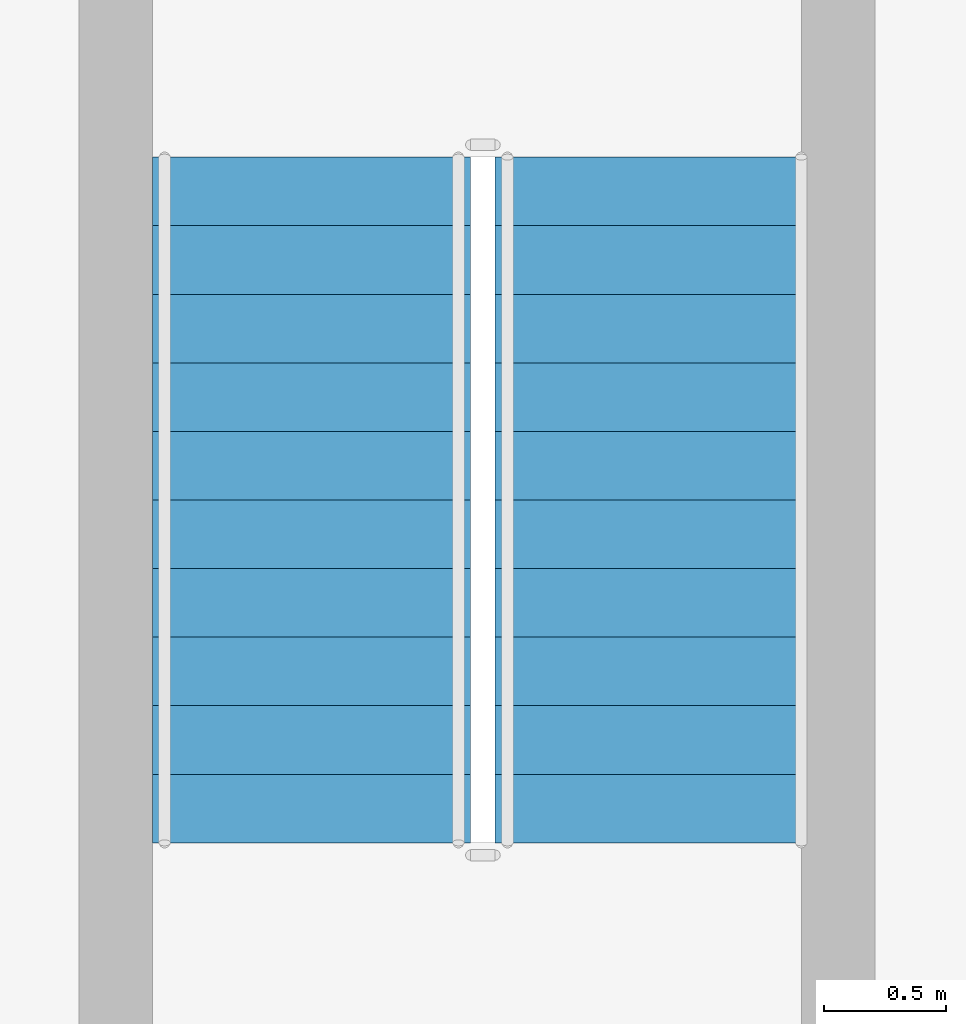
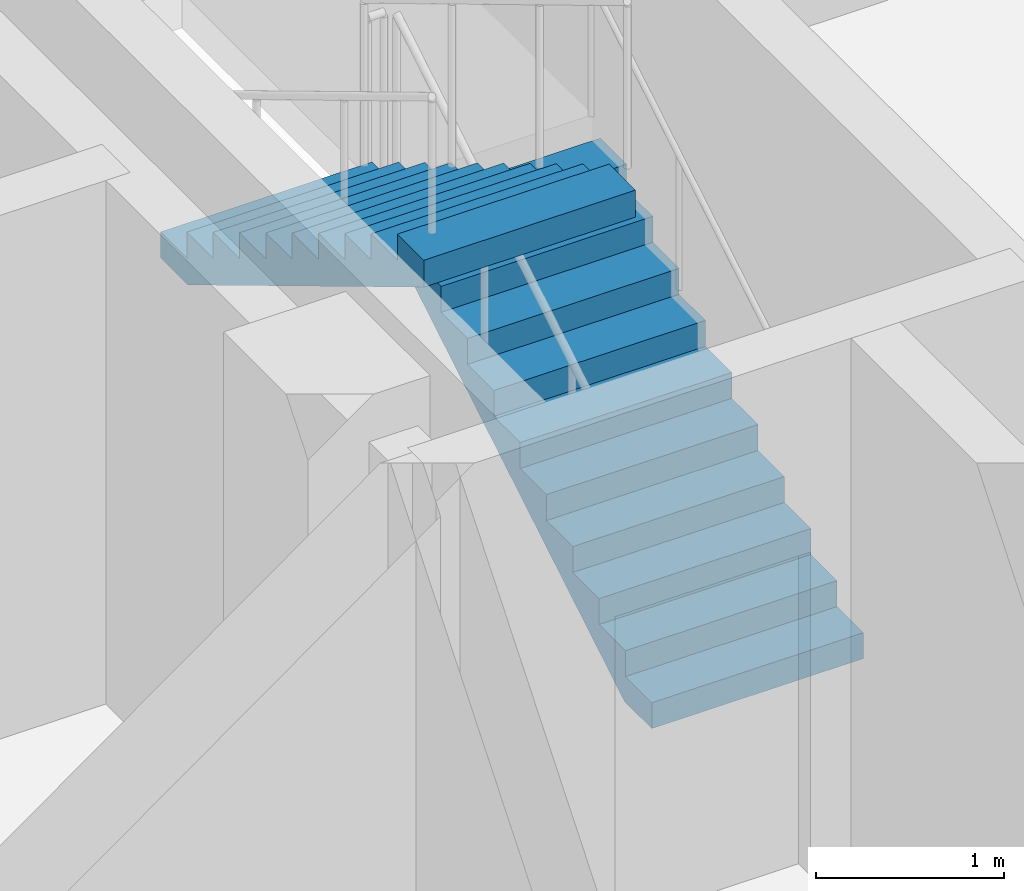
# One storey, part 16 of 23: 2 stair flights, 1 element without a shape of its own.
"""IFC4 building model written with IfcOpenShell, lengths in metres."""

from ifc_helpers import new_model, si_unit, direction, frame, origin, place, context, subcontext, project, spatial, triangles, source, transform, mapped, material, type_object, element, aggregate, save


model = new_model("IFC4")

# Units and contexts
model_context = context("Model", 3, precision=1e-05, world=origin(), true_north=direction((0.0, 1.0)))
body_context = subcontext(model_context, "Body", "Model", "MODEL_VIEW")
ifc_project = project(units=[si_unit("LENGTHUNIT", "METRE"), si_unit("AREAUNIT", "SQUARE_METRE"), si_unit("VOLUMEUNIT", "CUBIC_METRE"), si_unit("PLANEANGLEUNIT", "RADIAN"), si_unit("MASSUNIT", "GRAM", prefix="KILO")], contexts=[model_context])

# Site, building, storey
site_placement = place(None, origin())
site = spatial("IfcSite", under=ifc_project, at=site_placement, CompositionType="ELEMENT")
building_placement = place(site_placement, origin())
building = spatial("IfcBuilding", under=site, at=building_placement, Name="Ogive Portal Towers", CompositionType="ELEMENT")
storey_placement = place(building_placement, frame((0.0, 0.0, 179.199951171875)))
storey = spatial("IfcBuildingStorey", under=building, at=storey_placement, Name="L44", CompositionType="ELEMENT", Elevation=179.199951171875)

# Stair, stair flights
ifc_material = material(Name="Concrete C40/50", Category="concrete")
stair_type = type_object("IfcStairType", Name="INT-STAIR", PredefinedType="HALF_TURN_STAIR", material=ifc_material)
stair_placement = place(storey_placement, origin())
stair = element("IfcStair", 1, at=stair_placement, inside=storey, type_object=stair_type, Name="L44 Exit Stair ST-A3", PredefinedType="HALF_TURN_STAIR")
stair_flight_type = type_object("IfcStairFlightType", Name="INT-FLIGHT", PredefinedType="STRAIGHT", material=ifc_material)
shared_shape = source(origin(), body_context, "Body", "Tessellation", [
    triangles([(0.0, -0.650146484375, 0.0), (0.0, -0.376220703125, 0.0), (0.0, -0.192626953125, 0.0), (0.0, -0.081298828125, 0.0), (0.0, -0.024169921875, 0.0), (0.0, -0.003173828125, 0.0), (0.0, 0.0, 0.0), (0.0, 0.0029296875, 0.0), (0.0, 0.02392578125, 0.0), (0.0, 0.0810546875, 0.0), (0.0, 0.1923828125, 0.0), (0.0, 0.3759765625, 0.0), (0.0, 0.64990234375, 0.0), (0.0, -0.650146484375, 0.168212890625), (0.0, -0.376220703125, 0.168212890625), (0.0, -0.192626953125, 0.168212890625), (0.0, -0.081298828125, 0.168212890625), (0.0, -0.024169921875, 0.168212890625), (0.0, -0.003173828125, 0.168212890625), (0.0, 0.0, 0.168212890625), (0.0, 0.0029296875, 0.168212890625), (0.0, 0.02392578125, 0.168212890625), (0.0, 0.0810546875, 0.168212890625), (0.0, 0.1923828125, 0.168212890625), (0.0, 0.3759765625, 0.168212890625), (0.0, 0.64990234375, 0.168212890625), (0.280029296875, -0.650146484375, 0.168212890625), (0.280029296875, -0.376220703125, 0.168212890625), (0.280029296875, -0.192626953125, 0.168212890625), (0.280029296875, -0.081298828125, 0.168212890625), (0.280029296875, -0.024169921875, 0.168212890625), (0.280029296875, -0.003173828125, 0.168212890625), (0.280029296875, 0.0, 0.168212890625), (0.280029296875, 0.0029296875, 0.168212890625), (0.280029296875, 0.02392578125, 0.168212890625), (0.280029296875, 0.0810546875, 0.168212890625), (0.280029296875, 0.1923828125, 0.168212890625), (0.280029296875, 0.3759765625, 0.168212890625), (0.280029296875, 0.64990234375, 0.168212890625), (0.280029296875, -0.650146484375, 0.33642578125), (0.280029296875, -0.376220703125, 0.33642578125), (0.280029296875, -0.192626953125, 0.33642578125), (0.280029296875, -0.081298828125, 0.33642578125), (0.280029296875, -0.024169921875, 0.33642578125), (0.280029296875, -0.003173828125, 0.33642578125), (0.280029296875, 0.0, 0.33642578125), (0.280029296875, 0.0029296875, 0.33642578125), (0.280029296875, 0.02392578125, 0.33642578125), (0.280029296875, 0.0810546875, 0.33642578125), (0.280029296875, 0.1923828125, 0.33642578125), (0.280029296875, 0.3759765625, 0.33642578125), (0.280029296875, 0.64990234375, 0.33642578125), (0.56005859375, -0.650146484375, 0.33642578125), (0.56005859375, -0.376220703125, 0.33642578125), (0.56005859375, -0.192626953125, 0.33642578125), (0.56005859375, -0.081298828125, 0.33642578125), (0.56005859375, -0.024169921875, 0.33642578125), (0.56005859375, -0.003173828125, 0.33642578125), (0.56005859375, 0.0, 0.33642578125), (0.56005859375, 0.0029296875, 0.33642578125), (0.56005859375, 0.02392578125, 0.33642578125), (0.56005859375, 0.0810546875, 0.33642578125), (0.56005859375, 0.1923828125, 0.33642578125), (0.56005859375, 0.3759765625, 0.33642578125), (0.56005859375, 0.64990234375, 0.33642578125), (0.56005859375, -0.650146484375, 0.504638671875), (0.56005859375, -0.376220703125, 0.504638671875), (0.56005859375, -0.192626953125, 0.504638671875), (0.56005859375, -0.081298828125, 0.504638671875), (0.56005859375, -0.024169921875, 0.504638671875), (0.56005859375, -0.003173828125, 0.504638671875), (0.56005859375, 0.0, 0.504638671875), (0.56005859375, 0.0029296875, 0.504638671875), (0.56005859375, 0.02392578125, 0.504638671875), (0.56005859375, 0.0810546875, 0.504638671875), (0.56005859375, 0.1923828125, 0.504638671875), (0.56005859375, 0.3759765625, 0.504638671875), (0.56005859375, 0.64990234375, 0.504638671875), (0.840087890625, -0.650146484375, 0.504638671875), (0.840087890625, -0.376220703125, 0.504638671875), (0.840087890625, -0.192626953125, 0.504638671875), (0.840087890625, -0.081298828125, 0.504638671875), (0.840087890625, -0.024169921875, 0.504638671875), (0.840087890625, -0.003173828125, 0.504638671875), (0.840087890625, 0.0, 0.504638671875), (0.840087890625, 0.0029296875, 0.504638671875), (0.840087890625, 0.02392578125, 0.504638671875), (0.840087890625, 0.0810546875, 0.504638671875), (0.840087890625, 0.1923828125, 0.504638671875), (0.840087890625, 0.3759765625, 0.504638671875), (0.840087890625, 0.64990234375, 0.504638671875), (0.840087890625, -0.650146484375, 0.672607421875), (0.840087890625, -0.376220703125, 0.672607421875), (0.840087890625, -0.192626953125, 0.672607421875), (0.840087890625, -0.081298828125, 0.672607421875), (0.840087890625, -0.024169921875, 0.672607421875), (0.840087890625, -0.003173828125, 0.672607421875), (0.840087890625, 0.0, 0.672607421875), (0.840087890625, 0.0029296875, 0.672607421875), (0.840087890625, 0.02392578125, 0.672607421875), (0.840087890625, 0.0810546875, 0.672607421875), (0.840087890625, 0.1923828125, 0.672607421875), (0.840087890625, 0.3759765625, 0.672607421875), (0.840087890625, 0.64990234375, 0.672607421875), (1.1201171875, -0.650146484375, 0.672607421875), (1.1201171875, -0.376220703125, 0.672607421875), (1.1201171875, -0.192626953125, 0.672607421875), (1.1201171875, -0.081298828125, 0.672607421875), (1.1201171875, -0.024169921875, 0.672607421875), (1.1201171875, -0.003173828125, 0.672607421875), (1.1201171875, 0.0, 0.672607421875), (1.1201171875, 0.0029296875, 0.672607421875), (1.1201171875, 0.02392578125, 0.672607421875), (1.1201171875, 0.0810546875, 0.672607421875), (1.1201171875, 0.1923828125, 0.672607421875), (1.1201171875, 0.3759765625, 0.672607421875), (1.1201171875, 0.64990234375, 0.672607421875), (1.1201171875, -0.650146484375, 0.8408203125), (1.1201171875, -0.376220703125, 0.8408203125), (1.1201171875, -0.192626953125, 0.8408203125), (1.1201171875, -0.081298828125, 0.8408203125), (1.1201171875, -0.024169921875, 0.8408203125), (1.1201171875, -0.003173828125, 0.8408203125), (1.1201171875, 0.0, 0.8408203125), (1.1201171875, 0.0029296875, 0.8408203125), (1.1201171875, 0.02392578125, 0.8408203125), (1.1201171875, 0.0810546875, 0.8408203125), (1.1201171875, 0.1923828125, 0.8408203125), (1.1201171875, 0.3759765625, 0.8408203125), (1.1201171875, 0.64990234375, 0.8408203125), (1.39990234375, -0.650146484375, 0.8408203125), (1.39990234375, -0.376220703125, 0.8408203125), (1.39990234375, -0.192626953125, 0.8408203125), (1.39990234375, -0.081298828125, 0.8408203125), (1.39990234375, -0.024169921875, 0.8408203125), (1.39990234375, -0.003173828125, 0.8408203125), (1.39990234375, 0.0, 0.8408203125), (1.39990234375, 0.0029296875, 0.8408203125), (1.39990234375, 0.02392578125, 0.8408203125), (1.39990234375, 0.0810546875, 0.8408203125), (1.39990234375, 0.1923828125, 0.8408203125), (1.39990234375, 0.3759765625, 0.8408203125), (1.39990234375, 0.64990234375, 0.8408203125), (1.39990234375, -0.650146484375, 1.009033203125), (1.39990234375, -0.376220703125, 1.009033203125), (1.39990234375, -0.192626953125, 1.009033203125), (1.39990234375, -0.081298828125, 1.009033203125), (1.39990234375, -0.024169921875, 1.009033203125), (1.39990234375, -0.003173828125, 1.009033203125), (1.39990234375, 0.0, 1.009033203125), (1.39990234375, 0.0029296875, 1.009033203125), (1.39990234375, 0.02392578125, 1.009033203125), (1.39990234375, 0.0810546875, 1.009033203125), (1.39990234375, 0.1923828125, 1.009033203125), (1.39990234375, 0.3759765625, 1.009033203125), (1.39990234375, 0.64990234375, 1.009033203125), (1.679931640625, -0.650146484375, 1.009033203125), (1.679931640625, -0.376220703125, 1.009033203125), (1.679931640625, -0.192626953125, 1.009033203125), (1.679931640625, -0.081298828125, 1.009033203125), (1.679931640625, -0.024169921875, 1.009033203125), (1.679931640625, -0.003173828125, 1.009033203125), (1.679931640625, 0.0, 1.009033203125), (1.679931640625, 0.0029296875, 1.009033203125), (1.679931640625, 0.02392578125, 1.009033203125), (1.679931640625, 0.0810546875, 1.009033203125), (1.679931640625, 0.1923828125, 1.009033203125), (1.679931640625, 0.3759765625, 1.009033203125), (1.679931640625, 0.64990234375, 1.009033203125), (1.679931640625, -0.650146484375, 1.17724609375), (1.679931640625, -0.376220703125, 1.17724609375), (1.679931640625, -0.192626953125, 1.17724609375), (1.679931640625, -0.081298828125, 1.17724609375), (1.679931640625, -0.024169921875, 1.17724609375), (1.679931640625, -0.003173828125, 1.17724609375), (1.679931640625, 0.0, 1.17724609375), (1.679931640625, 0.0029296875, 1.17724609375), (1.679931640625, 0.02392578125, 1.17724609375), (1.679931640625, 0.0810546875, 1.17724609375), (1.679931640625, 0.1923828125, 1.17724609375), (1.679931640625, 0.3759765625, 1.17724609375), (1.679931640625, 0.64990234375, 1.17724609375), (1.9599609375, -0.650146484375, 1.17724609375), (1.9599609375, -0.376220703125, 1.17724609375), (1.9599609375, -0.192626953125, 1.17724609375), (1.9599609375, -0.081298828125, 1.17724609375), (1.9599609375, -0.024169921875, 1.17724609375), (1.9599609375, -0.003173828125, 1.17724609375), (1.9599609375, 0.0, 1.17724609375), (1.9599609375, 0.0029296875, 1.17724609375), (1.9599609375, 0.02392578125, 1.17724609375), (1.9599609375, 0.0810546875, 1.17724609375), (1.9599609375, 0.1923828125, 1.17724609375), (1.9599609375, 0.3759765625, 1.17724609375), (1.9599609375, 0.64990234375, 1.17724609375), (1.9599609375, -0.650146484375, 1.345458984375), (1.9599609375, -0.376220703125, 1.345458984375), (1.9599609375, -0.192626953125, 1.345458984375), (1.9599609375, -0.081298828125, 1.345458984375), (1.9599609375, -0.024169921875, 1.345458984375), (1.9599609375, -0.003173828125, 1.345458984375), (1.9599609375, 0.0, 1.345458984375), (1.9599609375, 0.0029296875, 1.345458984375), (1.9599609375, 0.02392578125, 1.345458984375), (1.9599609375, 0.0810546875, 1.345458984375), (1.9599609375, 0.1923828125, 1.345458984375), (1.9599609375, 0.3759765625, 1.345458984375), (1.9599609375, 0.64990234375, 1.345458984375), (2.239990234375, -0.650146484375, 1.345458984375), (2.239990234375, -0.376220703125, 1.345458984375), (2.239990234375, -0.192626953125, 1.345458984375), (2.239990234375, -0.081298828125, 1.345458984375), (2.239990234375, -0.024169921875, 1.345458984375), (2.239990234375, -0.003173828125, 1.345458984375), (2.239990234375, 0.0, 1.345458984375), (2.239990234375, 0.0029296875, 1.345458984375), (2.239990234375, 0.02392578125, 1.345458984375), (2.239990234375, 0.0810546875, 1.345458984375), (2.239990234375, 0.1923828125, 1.345458984375), (2.239990234375, 0.3759765625, 1.345458984375), (2.239990234375, 0.64990234375, 1.345458984375), (2.239990234375, -0.650146484375, 1.513671875), (2.239990234375, -0.376220703125, 1.513671875), (2.239990234375, -0.192626953125, 1.513671875), (2.239990234375, -0.081298828125, 1.513671875), (2.239990234375, -0.024169921875, 1.513671875), (2.239990234375, -0.003173828125, 1.513671875), (2.239990234375, 0.0, 1.513671875), (2.239990234375, 0.0029296875, 1.513671875), (2.239990234375, 0.02392578125, 1.513671875), (2.239990234375, 0.0810546875, 1.513671875), (2.239990234375, 0.1923828125, 1.513671875), (2.239990234375, 0.3759765625, 1.513671875), (2.239990234375, 0.64990234375, 1.513671875), (2.52001953125, -0.650146484375, 1.513671875), (2.52001953125, -0.376220703125, 1.513671875), (2.52001953125, -0.192626953125, 1.513671875), (2.52001953125, -0.081298828125, 1.513671875), (2.52001953125, -0.024169921875, 1.513671875), (2.52001953125, -0.003173828125, 1.513671875), (2.52001953125, 0.0, 1.513671875), (2.52001953125, 0.0029296875, 1.513671875), (2.52001953125, 0.02392578125, 1.513671875), (2.52001953125, 0.0810546875, 1.513671875), (2.52001953125, 0.1923828125, 1.513671875), (2.52001953125, 0.3759765625, 1.513671875), (2.52001953125, 0.64990234375, 1.513671875), (2.52001953125, -0.650146484375, 1.681884765625), (2.52001953125, -0.376220703125, 1.681884765625), (2.52001953125, -0.192626953125, 1.681884765625), (2.52001953125, -0.081298828125, 1.681884765625), (2.52001953125, -0.024169921875, 1.681884765625), (2.52001953125, -0.003173828125, 1.681884765625), (2.52001953125, 0.0, 1.681884765625), (2.52001953125, 0.0029296875, 1.681884765625), (2.52001953125, 0.02392578125, 1.681884765625), (2.52001953125, 0.0810546875, 1.681884765625), (2.52001953125, 0.1923828125, 1.681884765625), (2.52001953125, 0.3759765625, 1.681884765625), (2.52001953125, 0.64990234375, 1.681884765625), (2.800048828125, -0.650146484375, 1.681884765625), (2.800048828125, -0.376220703125, 1.681884765625), (2.800048828125, -0.192626953125, 1.681884765625), (2.800048828125, -0.081298828125, 1.681884765625), (2.800048828125, -0.024169921875, 1.681884765625), (2.800048828125, -0.003173828125, 1.681884765625), (2.800048828125, 0.0, 1.681884765625), (2.800048828125, 0.0029296875, 1.681884765625), (2.800048828125, 0.02392578125, 1.681884765625), (2.800048828125, 0.0810546875, 1.681884765625), (2.800048828125, 0.1923828125, 1.681884765625), (2.800048828125, 0.3759765625, 1.681884765625), (2.800048828125, 0.64990234375, 1.681884765625), (2.800048828125, -0.650146484375, 1.5068359375), (2.800048828125, -0.376220703125, 1.5068359375), (2.800048828125, -0.192626953125, 1.5068359375), (2.800048828125, -0.081298828125, 1.5068359375), (2.800048828125, -0.024169921875, 1.5068359375), (2.800048828125, -0.003173828125, 1.5068359375), (2.800048828125, 0.0, 1.5068359375), (2.800048828125, 0.0029296875, 1.5068359375), (2.800048828125, 0.02392578125, 1.5068359375), (2.800048828125, 0.0810546875, 1.5068359375), (2.800048828125, 0.1923828125, 1.5068359375), (2.800048828125, 0.3759765625, 1.5068359375), (2.800048828125, 0.64990234375, 1.5068359375), (0.291015625, -0.650146484375, 0.0), (0.291015625, -0.376220703125, 0.0), (0.291015625, -0.192626953125, 0.0), (0.291015625, -0.081298828125, 0.0), (0.291015625, -0.024169921875, 0.0), (0.291015625, -0.003173828125, 0.0), (0.291015625, 0.0, 0.0), (0.291015625, 0.0029296875, 0.0), (0.291015625, 0.02392578125, 0.0), (0.291015625, 0.0810546875, 0.0), (0.291015625, 0.1923828125, 0.0), (0.291015625, 0.3759765625, 0.0), (0.291015625, 0.64990234375, 0.0)], [[1, 14, 15], [1, 15, 2], [2, 15, 16], [2, 16, 3], [3, 16, 17], [3, 17, 4], [4, 17, 18], [4, 18, 5], [5, 18, 19], [5, 19, 6], [6, 19, 20], [6, 20, 7], [7, 20, 21], [7, 21, 8], [8, 21, 22], [8, 22, 9], [9, 22, 23], [9, 23, 10], [10, 23, 24], [10, 24, 11], [11, 24, 25], [11, 25, 12], [12, 25, 26], [12, 26, 13], [14, 27, 28], [14, 28, 15], [15, 28, 29], [15, 29, 16], [16, 29, 30], [16, 30, 17], [17, 30, 31], [17, 31, 18], [18, 31, 32], [18, 32, 19], [19, 32, 33], [19, 33, 20], [20, 33, 34], [20, 34, 21], [21, 34, 35], [21, 35, 22], [22, 35, 36], [22, 36, 23], [23, 36, 37], [23, 37, 24], [24, 37, 38], [24, 38, 25], [25, 38, 39], [25, 39, 26], [27, 40, 41], [27, 41, 28], [28, 41, 42], [28, 42, 29], [29, 42, 43], [29, 43, 30], [30, 43, 44], [30, 44, 31], [31, 44, 45], [31, 45, 32], [32, 45, 46], [32, 46, 33], [33, 46, 47], [33, 47, 34], [34, 47, 48], [34, 48, 35], [35, 48, 49], [35, 49, 36], [36, 49, 50], [36, 50, 37], [37, 50, 51], [37, 51, 38], [38, 51, 52], [38, 52, 39], [40, 53, 54], [40, 54, 41], [41, 54, 55], [41, 55, 42], [42, 55, 56], [42, 56, 43], [43, 56, 57], [43, 57, 44], [44, 57, 58], [44, 58, 45], [45, 58, 59], [45, 59, 46], [46, 59, 60], [46, 60, 47], [47, 60, 61], [47, 61, 48], [48, 61, 62], [48, 62, 49], [49, 62, 63], [49, 63, 50], [50, 63, 64], [50, 64, 51], [51, 64, 65], [51, 65, 52], [53, 66, 67], [53, 67, 54], [54, 67, 68], [54, 68, 55], [55, 68, 69], [55, 69, 56], [56, 69, 70], [56, 70, 57], [57, 70, 71], [57, 71, 58], [58, 71, 72], [58, 72, 59], [59, 72, 73], [59, 73, 60], [60, 73, 74], [60, 74, 61], [61, 74, 75], [61, 75, 62], [62, 75, 76], [62, 76, 63], [63, 76, 77], [63, 77, 64], [64, 77, 78], [64, 78, 65], [66, 79, 80], [66, 80, 67], [67, 80, 81], [67, 81, 68], [68, 81, 82], [68, 82, 69], [69, 82, 83], [69, 83, 70], [70, 83, 84], [70, 84, 71], [71, 84, 85], [71, 85, 72], [72, 85, 86], [72, 86, 73], [73, 86, 87], [73, 87, 74], [74, 87, 88], [74, 88, 75], [75, 88, 89], [75, 89, 76], [76, 89, 90], [76, 90, 77], [77, 90, 91], [77, 91, 78], [79, 92, 93], [79, 93, 80], [80, 93, 94], [80, 94, 81], [81, 94, 95], [81, 95, 82], [82, 95, 96], [82, 96, 83], [83, 96, 97], [83, 97, 84], [84, 97, 98], [84, 98, 85], [85, 98, 99], [85, 99, 86], [86, 99, 100], [86, 100, 87], [87, 100, 101], [87, 101, 88], [88, 101, 102], [88, 102, 89], [89, 102, 103], [89, 103, 90], [90, 103, 104], [90, 104, 91], [92, 105, 106], [92, 106, 93], [93, 106, 107], [93, 107, 94], [94, 107, 108], [94, 108, 95], [95, 108, 109], [95, 109, 96], [96, 109, 110], [96, 110, 97], [97, 110, 111], [97, 111, 98], [98, 111, 112], [98, 112, 99], [99, 112, 113], [99, 113, 100], [100, 113, 114], [100, 114, 101], [101, 114, 115], [101, 115, 102], [102, 115, 116], [102, 116, 103], [103, 116, 117], [103, 117, 104], [105, 118, 119], [105, 119, 106], [106, 119, 120], [106, 120, 107], [107, 120, 121], [107, 121, 108], [108, 121, 122], [108, 122, 109], [109, 122, 123], [109, 123, 110], [110, 123, 124], [110, 124, 111], [111, 124, 125], [111, 125, 112], [112, 125, 126], [112, 126, 113], [113, 126, 127], [113, 127, 114], [114, 127, 128], [114, 128, 115], [115, 128, 129], [115, 129, 116], [116, 129, 130], [116, 130, 117], [118, 131, 132], [118, 132, 119], [119, 132, 133], [119, 133, 120], [120, 133, 134], [120, 134, 121], [121, 134, 135], [121, 135, 122], [122, 135, 136], [122, 136, 123], [123, 136, 137], [123, 137, 124], [124, 137, 138], [124, 138, 125], [125, 138, 139], [125, 139, 126], [126, 139, 140], [126, 140, 127], [127, 140, 141], [127, 141, 128], [128, 141, 142], [128, 142, 129], [129, 142, 143], [129, 143, 130], [131, 144, 145], [131, 145, 132], [132, 145, 146], [132, 146, 133], [133, 146, 147], [133, 147, 134], [134, 147, 148], [134, 148, 135], [135, 148, 149], [135, 149, 136], [136, 149, 150], [136, 150, 137], [137, 150, 151], [137, 151, 138], [138, 151, 152], [138, 152, 139], [139, 152, 153], [139, 153, 140], [140, 153, 154], [140, 154, 141], [141, 154, 155], [141, 155, 142], [142, 155, 156], [142, 156, 143], [144, 157, 158], [144, 158, 145], [145, 158, 159], [145, 159, 146], [146, 159, 160], [146, 160, 147], [147, 160, 161], [147, 161, 148], [148, 161, 162], [148, 162, 149], [149, 162, 163], [149, 163, 150], [150, 163, 164], [150, 164, 151], [151, 164, 165], [151, 165, 152], [152, 165, 166], [152, 166, 153], [153, 166, 167], [153, 167, 154], [154, 167, 168], [154, 168, 155], [155, 168, 169], [155, 169, 156], [157, 170, 171], [157, 171, 158], [158, 171, 172], [158, 172, 159], [159, 172, 173], [159, 173, 160], [160, 173, 174], [160, 174, 161], [161, 174, 175], [161, 175, 162], [162, 175, 176], [162, 176, 163], [163, 176, 177], [163, 177, 164], [164, 177, 178], [164, 178, 165], [165, 178, 179], [165, 179, 166], [166, 179, 180], [166, 180, 167], [167, 180, 181], [167, 181, 168], [168, 181, 182], [168, 182, 169], [170, 183, 184], [170, 184, 171], [171, 184, 185], [171, 185, 172], [172, 185, 186], [172, 186, 173], [173, 186, 187], [173, 187, 174], [174, 187, 188], [174, 188, 175], [175, 188, 189], [175, 189, 176], [176, 189, 190], [176, 190, 177], [177, 190, 191], [177, 191, 178], [178, 191, 192], [178, 192, 179], [179, 192, 193], [179, 193, 180], [180, 193, 194], [180, 194, 181], [181, 194, 195], [181, 195, 182], [183, 196, 197], [183, 197, 184], [184, 197, 198], [184, 198, 185], [185, 198, 199], [185, 199, 186], [186, 199, 200], [186, 200, 187], [187, 200, 201], [187, 201, 188], [188, 201, 202], [188, 202, 189], [189, 202, 203], [189, 203, 190], [190, 203, 204], [190, 204, 191], [191, 204, 205], [191, 205, 192], [192, 205, 206], [192, 206, 193], [193, 206, 207], [193, 207, 194], [194, 207, 208], [194, 208, 195], [196, 209, 210], [196, 210, 197], [197, 210, 211], [197, 211, 198], [198, 211, 212], [198, 212, 199], [199, 212, 213], [199, 213, 200], [200, 213, 214], [200, 214, 201], [201, 214, 215], [201, 215, 202], [202, 215, 216], [202, 216, 203], [203, 216, 217], [203, 217, 204], [204, 217, 218], [204, 218, 205], [205, 218, 219], [205, 219, 206], [206, 219, 220], [206, 220, 207], [207, 220, 221], [207, 221, 208], [209, 222, 223], [209, 223, 210], [210, 223, 224], [210, 224, 211], [211, 224, 225], [211, 225, 212], [212, 225, 226], [212, 226, 213], [213, 226, 227], [213, 227, 214], [214, 227, 228], [214, 228, 215], [215, 228, 229], [215, 229, 216], [216, 229, 230], [216, 230, 217], [217, 230, 231], [217, 231, 218], [218, 231, 232], [218, 232, 219], [219, 232, 233], [219, 233, 220], [220, 233, 234], [220, 234, 221], [222, 235, 236], [222, 236, 223], [223, 236, 237], [223, 237, 224], [224, 237, 238], [224, 238, 225], [225, 238, 239], [225, 239, 226], [226, 239, 240], [226, 240, 227], [227, 240, 241], [227, 241, 228], [228, 241, 242], [228, 242, 229], [229, 242, 243], [229, 243, 230], [230, 243, 244], [230, 244, 231], [231, 244, 245], [231, 245, 232], [232, 245, 246], [232, 246, 233], [233, 246, 247], [233, 247, 234], [235, 248, 249], [235, 249, 236], [236, 249, 250], [236, 250, 237], [237, 250, 251], [237, 251, 238], [238, 251, 252], [238, 252, 239], [239, 252, 253], [239, 253, 240], [240, 253, 254], [240, 254, 241], [241, 254, 255], [241, 255, 242], [242, 255, 256], [242, 256, 243], [243, 256, 257], [243, 257, 244], [244, 257, 258], [244, 258, 245], [245, 258, 259], [245, 259, 246], [246, 259, 260], [246, 260, 247], [248, 261, 262], [248, 262, 249], [249, 262, 263], [249, 263, 250], [250, 263, 264], [250, 264, 251], [251, 264, 265], [251, 265, 252], [252, 265, 266], [252, 266, 253], [253, 266, 267], [253, 267, 254], [254, 267, 268], [254, 268, 255], [255, 268, 269], [255, 269, 256], [256, 269, 270], [256, 270, 257], [257, 270, 271], [257, 271, 258], [258, 271, 272], [258, 272, 259], [259, 272, 273], [259, 273, 260], [261, 274, 275], [261, 275, 262], [262, 275, 276], [262, 276, 263], [263, 276, 277], [263, 277, 264], [264, 277, 278], [264, 278, 265], [265, 278, 279], [265, 279, 266], [266, 279, 280], [266, 280, 267], [267, 280, 281], [267, 281, 268], [268, 281, 282], [268, 282, 269], [269, 282, 283], [269, 283, 270], [270, 283, 284], [270, 284, 271], [271, 284, 285], [271, 285, 272], [272, 285, 286], [272, 286, 273], [274, 287, 288], [274, 288, 275], [275, 288, 289], [275, 289, 276], [276, 289, 290], [276, 290, 277], [277, 290, 291], [277, 291, 278], [278, 291, 292], [278, 292, 279], [279, 292, 293], [279, 293, 280], [280, 293, 294], [280, 294, 281], [281, 294, 295], [281, 295, 282], [282, 295, 296], [282, 296, 283], [283, 296, 297], [283, 297, 284], [284, 297, 298], [284, 298, 285], [285, 298, 299], [285, 299, 286], [287, 1, 2], [287, 2, 288], [288, 2, 3], [288, 3, 289], [289, 3, 4], [289, 4, 290], [290, 4, 5], [290, 5, 291], [291, 5, 6], [291, 6, 292], [292, 6, 7], [292, 7, 293], [293, 7, 8], [293, 8, 294], [294, 8, 9], [294, 9, 295], [295, 9, 10], [295, 10, 296], [296, 10, 11], [296, 11, 297], [297, 11, 12], [297, 12, 298], [298, 12, 13], [298, 13, 299], [1, 287, 274], [13, 286, 299], [274, 261, 248], [286, 260, 273], [274, 248, 235], [286, 247, 260], [274, 235, 222], [286, 234, 247], [274, 222, 209], [286, 221, 234], [209, 196, 183], [221, 195, 208], [274, 209, 183], [286, 195, 221], [183, 170, 157], [195, 169, 182], [274, 183, 157], [286, 169, 195], [157, 144, 131], [169, 143, 156], [274, 157, 131], [286, 143, 169], [131, 118, 105], [143, 117, 130], [274, 131, 105], [286, 117, 143], [1, 274, 105], [13, 117, 286], [105, 92, 79], [117, 91, 104], [79, 66, 53], [91, 65, 78], [105, 79, 53], [117, 65, 91], [53, 40, 27], [65, 39, 52], [105, 53, 27], [117, 39, 65], [1, 105, 27], [13, 39, 117], [27, 14, 1], [39, 13, 26]], closed=True),
])
stair_flight_1_placement = place(storey_placement, frame((43.550048828125, 67.199951171875, 0.0), z_axis=(0.0, 0.0, 1.0), x_axis=(0.0, 1.0, 0.0)))
stair_flight_1 = element("IfcStairFlight", 2, at=stair_flight_1_placement, type_object=stair_flight_type, Name="ST-A3 flight 1", NumberOfRisers=11, NumberOfTreads=10, PredefinedType="STRAIGHT", RiserHeight=0.168181818, TreadLength=0.28, context=body_context, shape_type="MappedRepresentation", body=[
    mapped(shared_shape, transform((0.0, 0.0, 0.0), scale=1.0)),
])
stair_flight_2_placement = place(storey_placement, frame((42.14990234375, 70.0, 1.85009765625), z_axis=(0.0, 0.0, 1.0), x_axis=(0.0, -1.0, 0.0)))
stair_flight_2 = element("IfcStairFlight", 3, at=stair_flight_2_placement, type_object=stair_flight_type, Name="ST-A3 flight 2", NumberOfRisers=11, NumberOfTreads=10, PredefinedType="STRAIGHT", RiserHeight=0.168181818, TreadLength=0.28, context=body_context, shape_type="MappedRepresentation", body=[
    mapped(shared_shape, transform((0.0, 0.0, 0.0), scale=1.0)),
])
aggregate(stair, [stair_flight_1, stair_flight_2])

save(model, "model.ifc")
